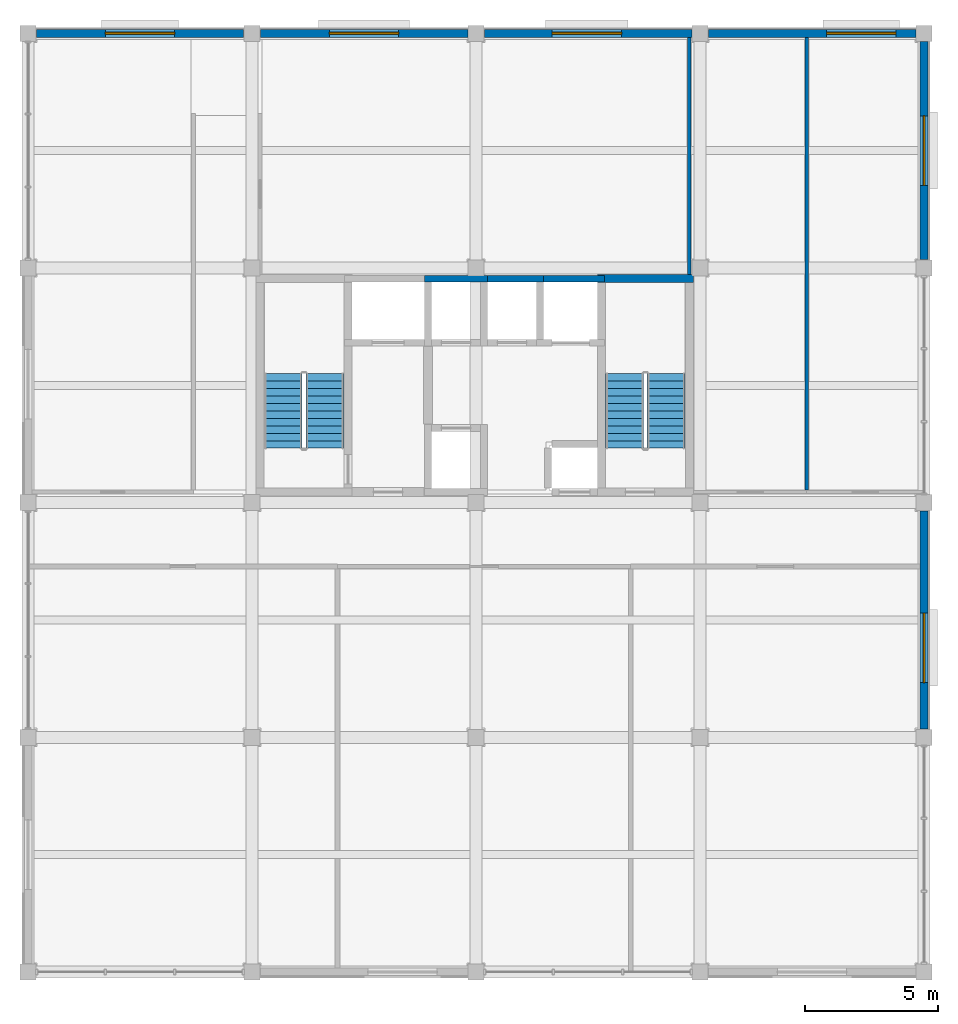
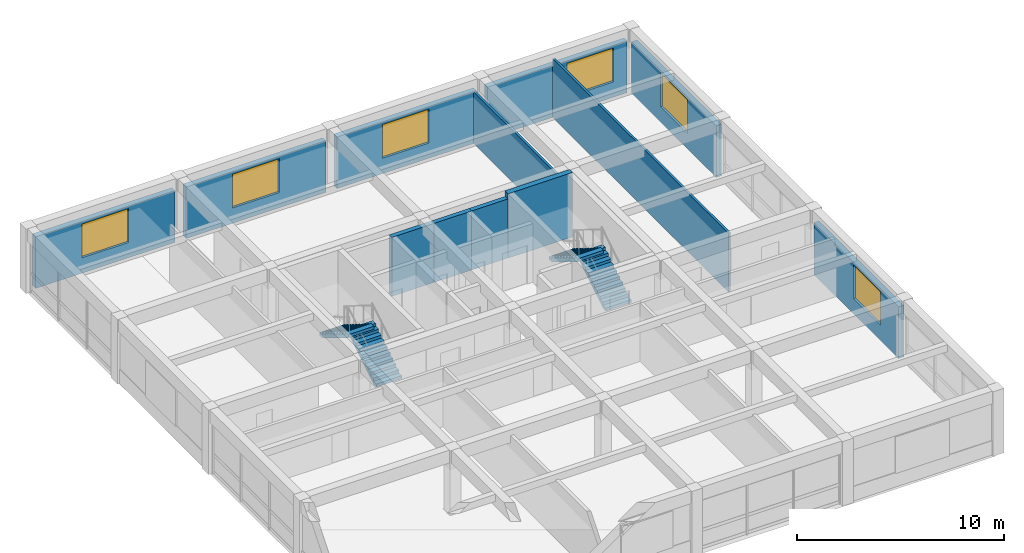
# One storey, part 8 of 12: 12 walls, 6 windows, 4 stair flights, 6 openings, 2 elements without a shape of their own.
"""IFC4 building model written with IfcOpenShell, lengths in metres."""

from ifc_helpers import new_model, si_unit, direction, frame, frame_2d, origin, place, context, subcontext, project, spatial, polyline, rectangle, outline, extrude, material, layer, layer_set, type_object, element, fill, aggregate, save


model = new_model("IFC4")

# Units and contexts
model_context = context("Model", 3, precision=1e-05, world=origin(), true_north=direction((0.0, 1.0)))
body_context = subcontext(model_context, "Body", "Model", "MODEL_VIEW")
ifc_project = project(units=[si_unit("LENGTHUNIT", "METRE"), si_unit("AREAUNIT", "SQUARE_METRE"), si_unit("VOLUMEUNIT", "CUBIC_METRE"), si_unit("PLANEANGLEUNIT", "RADIAN"), si_unit("MASSUNIT", "GRAM", prefix="KILO")], contexts=[model_context])

# Site, building, storey
site_placement = place(None, origin())
site = spatial("IfcSite", under=ifc_project, at=site_placement, CompositionType="ELEMENT")
building_placement = place(site_placement, origin())
building = spatial("IfcBuilding", under=site, at=building_placement, Name="Kemercrest Conservatory and Botanical Centre", CompositionType="ELEMENT")
storey_placement = place(building_placement, frame((0.0, 0.0, 56.0)))
storey = spatial("IfcBuildingStorey", under=building, at=storey_placement, Name="L14", CompositionType="ELEMENT", Elevation=56.0)

# Wall
ifc_material_1 = material(Name="Concrete C50/60", Category="concrete")
ifc_layer_1 = layer(ifc_material_1, 0.300048828125)
ifc_layer_set_1 = layer_set([ifc_layer_1], Name="Concrete C50/60")
wall_type_1 = type_object("IfcWallType", Name="CW-STAIR", PredefinedType="SHEAR", material=ifc_layer_set_1)
wall_1_placement = place(storey_placement, frame((163.75, 113.199951171875, 0.0), z_axis=(0.0, 0.0, 1.0), x_axis=(1.0, 0.0, 0.0)))
element("IfcWall", 1, at=wall_1_placement, inside=storey, type_object=wall_type_1, Name="Stair core ST-V4B shear wall N", PredefinedType="SHEAR", context=body_context, shape_type="SweptSolid", body=[
    extrude(rectangle(XDim=3.60009765625, YDim=0.300048828125, at=frame_2d((1.800048828125, 0.0))), origin(), (0.0, 0.0, 1.0), 3.800048828125),
])

# Wall, opening, window
ifc_material_2 = material(Name="Precast concrete C40/50", Category="concrete")
ifc_layer_2 = layer(ifc_material_2, 0.300048828125)
ifc_layer_set_2 = layer_set([ifc_layer_2], Name="Precast concrete C40/50")
wall_type_2 = type_object("IfcWallType", Name="W-EXT300", PredefinedType="SOLIDWALL", material=ifc_layer_set_2)
wall_2_placement = place(storey_placement, frame((176.0, 96.31005859375, 0.0), z_axis=(0.0, 0.0, 1.0), x_axis=(0.0, 1.0, 0.0)))
wall_2 = element("IfcWall", 2, at=wall_2_placement, inside=storey, type_object=wall_type_2, Name="Exterior almasik wall W-EXT300 (WAL:L14:EXT-335)", PredefinedType="SOLIDWALL", context=body_context, shape_type="SweptSolid", body=[
    extrude(rectangle(XDim=8.179931640625, YDim=0.300048828125, at=frame_2d((4.08984375, 0.0))), origin(), (0.0, 0.0, 1.0), 3.050048828125),
])
opening_1_placement = place(wall_2_placement, frame((1.7451171875, 0.0, 0.89990234375)))
opening_1 = element("IfcOpeningElement", 3, at=opening_1_placement, cuts=wall_2, Name="Opening WT-10", PredefinedType="OPENING", context=body_context, shape_type="SweptSolid", body=[
    extrude(rectangle(XDim=2.60009765625, YDim=2.0, at=frame_2d((1.300048828125, 1.0))), frame((0.0, 0.16015625, 0.0), z_axis=(0.0, -1.0, 0.0), x_axis=(1.0, 0.0, 0.0)), (0.0, 0.0, 1.0), 0.320068359375),
])
ifc_material_3 = material(Name="Thermally broken bronze-anodized aluminium and triple glazing", Category="aluminium")
window_type = type_object("IfcWindowType", Name="WT-10", PartitioningType="SINGLE_PANEL", PredefinedType="WINDOW", material=ifc_material_3)
window_1_placement = place(opening_1_placement, origin())
window_1 = element("IfcWindow", 4, at=window_1_placement, inside=storey, type_object=window_type, Name="Exterior window WT-10 (WIN:L14:EXT-335)", OverallHeight=2.0, OverallWidth=2.60009765625, PartitioningType="SINGLE_PANEL", PredefinedType="WINDOW", context=body_context, shape_type="SweptSolid", body=[
    extrude(rectangle(XDim=2.60009765625, YDim=2.0, at=frame_2d((1.300048828125, 1.0))), frame((0.0, 0.030029296875, 0.0), z_axis=(0.0, -1.0, 0.0), x_axis=(1.0, 0.0, 0.0)), (0.0, 0.0, 1.0), 0.06005859375),
])
fill(opening_1, window_1)

wall_3_placement = place(storey_placement, frame((176.0, 113.909912109375, 0.0), z_axis=(0.0, 0.0, 1.0), x_axis=(0.0, 1.0, 0.0)))
wall_3 = element("IfcWall", 5, at=wall_3_placement, inside=storey, type_object=wall_type_2, Name="Exterior almasik wall W-EXT300 (WAL:L14:EXT-336)", PredefinedType="SOLIDWALL", context=body_context, shape_type="SweptSolid", body=[
    extrude(rectangle(XDim=8.18017578125, YDim=0.300048828125, at=frame_2d((4.090087890625, 0.0))), origin(), (0.0, 0.0, 1.0), 3.050048828125),
])
opening_2_placement = place(wall_3_placement, frame((2.7900390625, 0.0, 0.89990234375)))
opening_2 = element("IfcOpeningElement", 6, at=opening_2_placement, cuts=wall_3, Name="Opening WT-10", PredefinedType="OPENING", context=body_context, shape_type="SweptSolid", body=[
    extrude(rectangle(XDim=2.60009765625, YDim=2.0, at=frame_2d((1.300048828125, 1.0))), frame((0.0, 0.16015625, 0.0), z_axis=(0.0, -1.0, 0.0), x_axis=(1.0, 0.0, 0.0)), (0.0, 0.0, 1.0), 0.320068359375),
])
window_2_placement = place(opening_2_placement, origin())
window_2 = element("IfcWindow", 7, at=window_2_placement, inside=storey, type_object=window_type, Name="Exterior window WT-10 (WIN:L14:EXT-336)", OverallHeight=2.0, OverallWidth=2.60009765625, PartitioningType="SINGLE_PANEL", PredefinedType="WINDOW", context=body_context, shape_type="SweptSolid", body=[
    extrude(rectangle(XDim=2.60009765625, YDim=2.0, at=frame_2d((1.300048828125, 1.0))), frame((0.0, 0.030029296875, 0.0), z_axis=(0.0, -1.0, 0.0), x_axis=(1.0, 0.0, 0.0)), (0.0, 0.0, 1.0), 0.06005859375),
])
fill(opening_2, window_2)

wall_4_placement = place(storey_placement, frame((175.68994140625, 122.39990234375, 0.0), z_axis=(0.0, 0.0, 1.0), x_axis=(-1.0, 0.0, 0.0)))
wall_4 = element("IfcWall", 8, at=wall_4_placement, inside=storey, type_object=wall_type_2, Name="Exterior almasik wall W-EXT300 (WAL:L14:EXT-337)", PredefinedType="SOLIDWALL", context=body_context, shape_type="SweptSolid", body=[
    extrude(rectangle(XDim=7.780029296875, YDim=0.300048828125, at=frame_2d((3.89013671875, 0.0))), origin(), (0.0, 0.0, 1.0), 3.050048828125),
])
opening_3_placement = place(wall_4_placement, frame((0.7451171875, 0.0, 0.89990234375)))
opening_3 = element("IfcOpeningElement", 9, at=opening_3_placement, cuts=wall_4, Name="Opening WT-10", PredefinedType="OPENING", context=body_context, shape_type="SweptSolid", body=[
    extrude(rectangle(XDim=2.60009765625, YDim=2.0, at=frame_2d((1.300048828125, 1.0))), frame((0.0, 0.16015625, 0.0), z_axis=(0.0, -1.0, 0.0), x_axis=(1.0, 0.0, 0.0)), (0.0, 0.0, 1.0), 0.320068359375),
])
window_3_placement = place(opening_3_placement, origin())
window_3 = element("IfcWindow", 10, at=window_3_placement, inside=storey, type_object=window_type, Name="Exterior window WT-10 (WIN:L14:EXT-337)", OverallHeight=2.0, OverallWidth=2.60009765625, PartitioningType="SINGLE_PANEL", PredefinedType="WINDOW", context=body_context, shape_type="SweptSolid", body=[
    extrude(rectangle(XDim=2.60009765625, YDim=2.0, at=frame_2d((1.300048828125, 1.0))), frame((0.0, 0.030029296875, 0.0), z_axis=(0.0, -1.0, 0.0), x_axis=(1.0, 0.0, 0.0)), (0.0, 0.0, 1.0), 0.06005859375),
])
fill(opening_3, window_3)

wall_5_placement = place(storey_placement, frame((167.2900390625, 122.39990234375, 0.0), z_axis=(0.0, 0.0, 1.0), x_axis=(-1.0, 0.0, 0.0)))
wall_5 = element("IfcWall", 11, at=wall_5_placement, inside=storey, type_object=wall_type_2, Name="Exterior almasik wall W-EXT300 (WAL:L14:EXT-338)", PredefinedType="SOLIDWALL", context=body_context, shape_type="SweptSolid", body=[
    extrude(rectangle(XDim=7.780029296875, YDim=0.300048828125, at=frame_2d((3.89013671875, 0.0))), origin(), (0.0, 0.0, 1.0), 3.050048828125),
])
opening_4_placement = place(wall_5_placement, frame((2.635009765625, 0.0, 0.89990234375)))
opening_4 = element("IfcOpeningElement", 12, at=opening_4_placement, cuts=wall_5, Name="Opening WT-10", PredefinedType="OPENING", context=body_context, shape_type="SweptSolid", body=[
    extrude(rectangle(XDim=2.60009765625, YDim=2.0, at=frame_2d((1.300048828125, 1.0))), frame((0.0, 0.16015625, 0.0), z_axis=(0.0, -1.0, 0.0), x_axis=(1.0, 0.0, 0.0)), (0.0, 0.0, 1.0), 0.320068359375),
])
window_4_placement = place(opening_4_placement, origin())
window_4 = element("IfcWindow", 13, at=window_4_placement, inside=storey, type_object=window_type, Name="Exterior window WT-10 (WIN:L14:EXT-338)", OverallHeight=2.0, OverallWidth=2.60009765625, PartitioningType="SINGLE_PANEL", PredefinedType="WINDOW", context=body_context, shape_type="SweptSolid", body=[
    extrude(rectangle(XDim=2.60009765625, YDim=2.0, at=frame_2d((1.300048828125, 1.0))), frame((0.0, 0.030029296875, 0.0), z_axis=(0.0, -1.0, 0.0), x_axis=(1.0, 0.0, 0.0)), (0.0, 0.0, 1.0), 0.06005859375),
])
fill(opening_4, window_4)

wall_6_placement = place(storey_placement, frame((158.889892578125, 122.39990234375, 0.0), z_axis=(0.0, 0.0, 1.0), x_axis=(-1.0, 0.0, 0.0)))
wall_6 = element("IfcWall", 14, at=wall_6_placement, inside=storey, type_object=wall_type_2, Name="Exterior almasik wall W-EXT300 (WAL:L14:EXT-339)", PredefinedType="SOLIDWALL", context=body_context, shape_type="SweptSolid", body=[
    extrude(rectangle(XDim=7.77978515625, YDim=0.300048828125, at=frame_2d((3.889892578125, 0.0))), origin(), (0.0, 0.0, 1.0), 3.050048828125),
])
opening_5_placement = place(wall_6_placement, frame((2.590087890625, 0.0, 0.89990234375)))
opening_5 = element("IfcOpeningElement", 15, at=opening_5_placement, cuts=wall_6, Name="Opening WT-10", PredefinedType="OPENING", context=body_context, shape_type="SweptSolid", body=[
    extrude(rectangle(XDim=2.60009765625, YDim=2.0, at=frame_2d((1.300048828125, 1.0))), frame((0.0, 0.16015625, 0.0), z_axis=(0.0, -1.0, 0.0), x_axis=(1.0, 0.0, 0.0)), (0.0, 0.0, 1.0), 0.320068359375),
])
window_5_placement = place(opening_5_placement, origin())
window_5 = element("IfcWindow", 16, at=window_5_placement, inside=storey, type_object=window_type, Name="Exterior window WT-10 (WIN:L14:EXT-339)", OverallHeight=2.0, OverallWidth=2.60009765625, PartitioningType="SINGLE_PANEL", PredefinedType="WINDOW", context=body_context, shape_type="SweptSolid", body=[
    extrude(rectangle(XDim=2.60009765625, YDim=2.0, at=frame_2d((1.300048828125, 1.0))), frame((0.0, 0.030029296875, 0.0), z_axis=(0.0, -1.0, 0.0), x_axis=(1.0, 0.0, 0.0)), (0.0, 0.0, 1.0), 0.06005859375),
])
fill(opening_5, window_5)

wall_7_placement = place(storey_placement, frame((150.489990234375, 122.39990234375, 0.0), z_axis=(0.0, 0.0, 1.0), x_axis=(-1.0, 0.0, 0.0)))
wall_7 = element("IfcWall", 17, at=wall_7_placement, inside=storey, type_object=wall_type_2, Name="Exterior almasik wall W-EXT300 (WAL:L14:EXT-340)", PredefinedType="SOLIDWALL", context=body_context, shape_type="SweptSolid", body=[
    extrude(rectangle(XDim=7.780029296875, YDim=0.300048828125, at=frame_2d((3.89013671875, 0.0))), origin(), (0.0, 0.0, 1.0), 3.050048828125),
])
opening_6_placement = place(wall_7_placement, frame((2.590087890625, 0.0, 0.89990234375)))
opening_6 = element("IfcOpeningElement", 18, at=opening_6_placement, cuts=wall_7, Name="Opening WT-10", PredefinedType="OPENING", context=body_context, shape_type="SweptSolid", body=[
    extrude(rectangle(XDim=2.60009765625, YDim=2.0, at=frame_2d((1.300048828125, 1.0))), frame((0.0, 0.16015625, 0.0), z_axis=(0.0, -1.0, 0.0), x_axis=(1.0, 0.0, 0.0)), (0.0, 0.0, 1.0), 0.320068359375),
])
window_6_placement = place(opening_6_placement, origin())
window_6 = element("IfcWindow", 19, at=window_6_placement, inside=storey, type_object=window_type, Name="Exterior window WT-10 (WIN:L14:EXT-340)", OverallHeight=2.0, OverallWidth=2.60009765625, PartitioningType="SINGLE_PANEL", PredefinedType="WINDOW", context=body_context, shape_type="SweptSolid", body=[
    extrude(rectangle(XDim=2.60009765625, YDim=2.0, at=frame_2d((1.300048828125, 1.0))), frame((0.0, 0.030029296875, 0.0), z_axis=(0.0, -1.0, 0.0), x_axis=(1.0, 0.0, 0.0)), (0.0, 0.0, 1.0), 0.06005859375),
])
fill(opening_6, window_6)

# Walls
ifc_material_4 = material(Name="Moisture-resistant gypsum board partition", Category="gypsum")
ifc_layer_3 = layer(ifc_material_4, 0.125)
ifc_layer_set_3 = layer_set([ifc_layer_3], Name="Moisture-resistant gypsum board partition")
wall_type_3 = type_object("IfcWallType", Name="W-PART125", PredefinedType="PARTITIONING", material=ifc_layer_set_3)
wall_8_placement = place(storey_placement, frame((167.199951171875, 113.35498046875, 0.0), z_axis=(0.0, 0.0, 1.0), x_axis=(0.0, 1.0, 0.0)))
element("IfcWall", 20, at=wall_8_placement, inside=storey, type_object=wall_type_3, Name="Interior partition W-PART125 #300", PredefinedType="PARTITIONING", context=body_context, shape_type="SweptSolid", body=[
    extrude(rectangle(XDim=8.89013671875, YDim=0.125, at=frame_2d((4.445068359375, 0.0))), origin(), (0.0, 0.0, 1.0), 3.044921875),
])
wall_9_placement = place(storey_placement, frame((171.60009765625, 105.267578125, 0.0), z_axis=(0.0, 0.0, 1.0), x_axis=(0.0, 1.0, 0.0)))
element("IfcWall", 21, at=wall_9_placement, inside=storey, type_object=wall_type_3, Name="Interior partition W-PART125 #301", PredefinedType="PARTITIONING", context=body_context, shape_type="SweptSolid", body=[
    extrude(rectangle(XDim=16.9775390625, YDim=0.125, at=frame_2d((8.48876953125, 0.0))), origin(), (0.0, 0.0, 1.0), 3.465087890625),
])
ifc_material_5 = material(Name="Concrete C40/50", Category="concrete")
ifc_layer_4 = layer(ifc_material_5, 0.25)
ifc_layer_set_4 = layer_set([ifc_layer_4], Name="Concrete C40/50")
wall_type_4 = type_object("IfcWallType", Name="W-SHFT250", PredefinedType="SOLIDWALL", material=ifc_layer_set_4)
for number, where, z_axis, x_axis, name in (
    (22, (157.27490234375, 113.199951171875, 0.0), (0.0, 0.0, 1.0), (1.0, 0.0, 0.0), "Elevator LF-P1 shaft wall north"),
    (23, (159.375, 113.199951171875, 0.0), (0.0, 0.0, 1.0), (1.0, 0.0, 0.0), "Elevator LF-P2 shaft wall north"),
):
    element("IfcWall", number, at=place(storey_placement, frame(where, z_axis=z_axis, x_axis=x_axis)), inside=storey, type_object=wall_type_4, Name=name, PredefinedType="SOLIDWALL", context=body_context, shape_type="SweptSolid", body=[
        extrude(rectangle(XDim=2.35009765625, YDim=0.25, at=frame_2d((1.175048828125, 0.0))), origin(), (0.0, 0.0, 1.0), 3.47998046875),
    ])
wall_10_placement = place(storey_placement, frame((161.47509765625, 113.199951171875, 0.0), z_axis=(0.0, 0.0, 1.0), x_axis=(1.0, 0.0, 0.0)))
element("IfcWall", 24, at=wall_10_placement, inside=storey, type_object=wall_type_4, Name="Elevator LF-G1 shaft wall north", PredefinedType="SOLIDWALL", context=body_context, shape_type="SweptSolid", body=[
    extrude(rectangle(XDim=2.5498046875, YDim=0.25, at=frame_2d((1.27490234375, 0.0))), origin(), (0.0, 0.0, 1.0), 3.47998046875),
])

# Stair, stair flights
stair_type = type_object("IfcStairType", Name="ST-142-38", PredefinedType="HALF_TURN_STAIR", material=ifc_material_5)
stair_1_placement = place(storey_placement, origin())
stair_1 = element("IfcStair", 25, at=stair_1_placement, inside=storey, type_object=stair_type, Name="L14 Exit stair ST-V4A", PredefinedType="HALF_TURN_STAIR")
stair_flight_type = type_object("IfcStairFlightType", Name="FL-142-38", PredefinedType="STRAIGHT", material=ifc_material_5)
stair_flight_1_placement = place(storey_placement, frame((153.530029296875, 106.840087890625, 0.0), z_axis=(0.0, 0.0, 1.0), x_axis=(0.0, 1.0, 0.0)))
stair_flight_1 = element("IfcStairFlight", 26, at=stair_flight_1_placement, type_object=stair_flight_type, Name="ST-V4A flight 1", NumberOfRisers=11, NumberOfTreads=10, PredefinedType="STRAIGHT", RiserHeight=0.172727273, TreadLength=0.28, context=body_context, shape_type="SweptSolid", body=[
    extrude(outline(polyline([(0.0, 0.0), (0.0, 0.172607421875), (0.280029296875, 0.172607421875), (0.280029296875, 0.345458984375), (0.56005859375, 0.345458984375), (0.56005859375, 0.51806640625), (0.840087890625, 0.51806640625), (0.840087890625, 0.69091796875), (1.1201171875, 0.69091796875), (1.1201171875, 0.863525390625), (1.39990234375, 0.863525390625), (1.39990234375, 1.036376953125), (1.679931640625, 1.036376953125), (1.679931640625, 1.208984375), (1.9599609375, 1.208984375), (1.9599609375, 1.3818359375), (2.239990234375, 1.3818359375), (2.239990234375, 1.554443359375), (2.52001953125, 1.554443359375), (2.52001953125, 1.727294921875), (2.800048828125, 1.727294921875), (2.800048828125, 1.89990234375), (2.800048828125, 1.551025390625), (0.285400390625, 0.0), (0.0, 0.0)])), frame((0.0, 0.7099609375, 0.0), z_axis=(0.0, -1.0, 0.0), x_axis=(1.0, 0.0, 0.0)), (0.0, 0.0, 1.0), 1.419921875),
])
stair_flight_2_placement = place(storey_placement, frame((151.969970703125, 109.639892578125, 1.89990234375), z_axis=(0.0, 0.0, 1.0), x_axis=(0.0, -1.0, 0.0)))
stair_flight_2 = element("IfcStairFlight", 27, at=stair_flight_2_placement, type_object=stair_flight_type, Name="ST-V4A flight 2", NumberOfRisers=11, NumberOfTreads=10, PredefinedType="STRAIGHT", RiserHeight=0.172727273, TreadLength=0.28, context=body_context, shape_type="SweptSolid", body=[
    extrude(outline(polyline([(0.0, 0.0), (0.0, 0.172607421875), (0.280029296875, 0.172607421875), (0.280029296875, 0.345458984375), (0.56005859375, 0.345458984375), (0.56005859375, 0.51806640625), (0.840087890625, 0.51806640625), (0.840087890625, 0.69091796875), (1.1201171875, 0.69091796875), (1.1201171875, 0.863525390625), (1.39990234375, 0.863525390625), (1.39990234375, 1.036376953125), (1.679931640625, 1.036376953125), (1.679931640625, 1.208984375), (1.9599609375, 1.208984375), (1.9599609375, 1.3818359375), (2.239990234375, 1.3818359375), (2.239990234375, 1.554443359375), (2.52001953125, 1.554443359375), (2.52001953125, 1.727294921875), (2.800048828125, 1.727294921875), (2.800048828125, 1.89990234375), (2.800048828125, 1.551025390625), (0.285400390625, 0.0), (0.0, 0.0)])), frame((0.0, 0.7099609375, 0.0), z_axis=(0.0, -1.0, 0.0), x_axis=(1.0, 0.0, 0.0)), (0.0, 0.0, 1.0), 1.419921875),
])
aggregate(stair_1, [stair_flight_1, stair_flight_2])

stair_2_placement = place(storey_placement, origin())
stair_2 = element("IfcStair", 28, at=stair_2_placement, inside=storey, type_object=stair_type, Name="L14 Exit stair ST-V4B", PredefinedType="HALF_TURN_STAIR")
stair_flight_3_placement = place(storey_placement, frame((166.330078125, 106.840087890625, 0.0), z_axis=(0.0, 0.0, 1.0), x_axis=(0.0, 1.0, 0.0)))
stair_flight_3 = element("IfcStairFlight", 29, at=stair_flight_3_placement, type_object=stair_flight_type, Name="ST-V4B flight 1", NumberOfRisers=11, NumberOfTreads=10, PredefinedType="STRAIGHT", RiserHeight=0.172727273, TreadLength=0.28, context=body_context, shape_type="SweptSolid", body=[
    extrude(outline(polyline([(0.0, 0.0), (0.0, 0.172607421875), (0.280029296875, 0.172607421875), (0.280029296875, 0.345458984375), (0.56005859375, 0.345458984375), (0.56005859375, 0.51806640625), (0.840087890625, 0.51806640625), (0.840087890625, 0.69091796875), (1.1201171875, 0.69091796875), (1.1201171875, 0.863525390625), (1.39990234375, 0.863525390625), (1.39990234375, 1.036376953125), (1.679931640625, 1.036376953125), (1.679931640625, 1.208984375), (1.9599609375, 1.208984375), (1.9599609375, 1.3818359375), (2.239990234375, 1.3818359375), (2.239990234375, 1.554443359375), (2.52001953125, 1.554443359375), (2.52001953125, 1.727294921875), (2.800048828125, 1.727294921875), (2.800048828125, 1.89990234375), (2.800048828125, 1.551025390625), (0.285400390625, 0.0), (0.0, 0.0)])), frame((0.0, 0.7099609375, 0.0), z_axis=(0.0, -1.0, 0.0), x_axis=(1.0, 0.0, 0.0)), (0.0, 0.0, 1.0), 1.419921875),
])
stair_flight_4_placement = place(storey_placement, frame((164.77001953125, 109.639892578125, 1.89990234375), z_axis=(0.0, 0.0, 1.0), x_axis=(0.0, -1.0, 0.0)))
stair_flight_4 = element("IfcStairFlight", 30, at=stair_flight_4_placement, type_object=stair_flight_type, Name="ST-V4B flight 2", NumberOfRisers=11, NumberOfTreads=10, PredefinedType="STRAIGHT", RiserHeight=0.172727273, TreadLength=0.28, context=body_context, shape_type="SweptSolid", body=[
    extrude(outline(polyline([(0.0, 0.0), (0.0, 0.172607421875), (0.280029296875, 0.172607421875), (0.280029296875, 0.345458984375), (0.56005859375, 0.345458984375), (0.56005859375, 0.51806640625), (0.840087890625, 0.51806640625), (0.840087890625, 0.69091796875), (1.1201171875, 0.69091796875), (1.1201171875, 0.863525390625), (1.39990234375, 0.863525390625), (1.39990234375, 1.036376953125), (1.679931640625, 1.036376953125), (1.679931640625, 1.208984375), (1.9599609375, 1.208984375), (1.9599609375, 1.3818359375), (2.239990234375, 1.3818359375), (2.239990234375, 1.554443359375), (2.52001953125, 1.554443359375), (2.52001953125, 1.727294921875), (2.800048828125, 1.727294921875), (2.800048828125, 1.89990234375), (2.800048828125, 1.551025390625), (0.285400390625, 0.0), (0.0, 0.0)])), frame((0.0, 0.7099609375, 0.0), z_axis=(0.0, -1.0, 0.0), x_axis=(1.0, 0.0, 0.0)), (0.0, 0.0, 1.0), 1.419921875),
])
aggregate(stair_2, [stair_flight_3, stair_flight_4])

save(model, "model.ifc")
